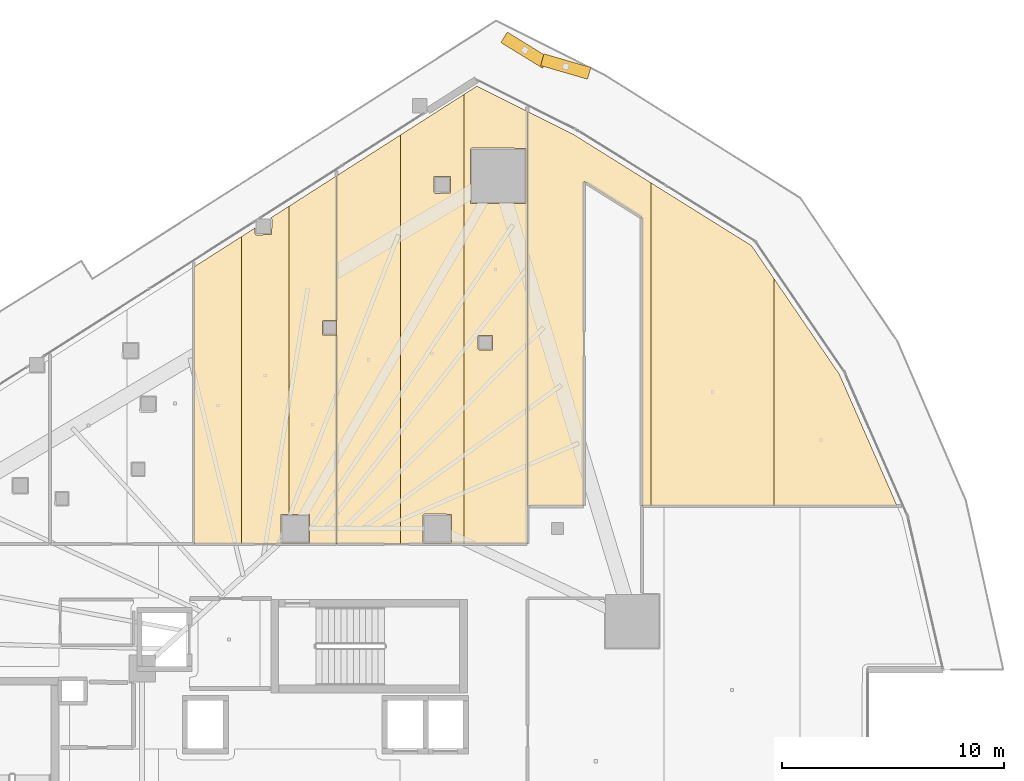
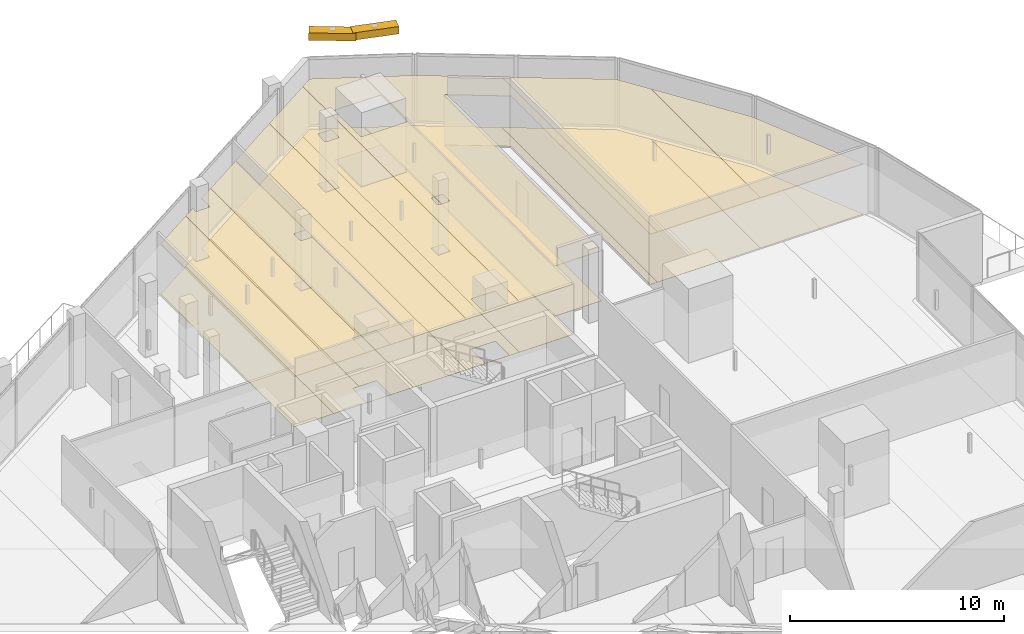
# One storey, part 45 of 45: 18 coverings, 2 shading devices.
"""IFC4 building model written with IfcOpenShell, lengths in metres."""

from ifc_helpers import new_model, si_unit, direction, frame, origin, origin_2d, place, context, subcontext, project, spatial, polyline, rectangle, outline, extrude, material, layer, layer_set, type_object, element, save


model = new_model("IFC4")

# Units and contexts
model_context = context("Model", 3, precision=1e-05, world=origin(), true_north=direction((0.0, 1.0)))
body_context = subcontext(model_context, "Body", "Model", "MODEL_VIEW")
ifc_project = project(units=[si_unit("LENGTHUNIT", "METRE"), si_unit("AREAUNIT", "SQUARE_METRE"), si_unit("VOLUMEUNIT", "CUBIC_METRE"), si_unit("PLANEANGLEUNIT", "RADIAN"), si_unit("MASSUNIT", "GRAM", prefix="KILO")], contexts=[model_context])

# Site, building, storey
site_placement = place(None, origin())
site = spatial("IfcSite", under=ifc_project, at=site_placement, CompositionType="ELEMENT")
building_placement = place(site_placement, origin())
building = spatial("IfcBuilding", under=site, at=building_placement, Name="Qorvath Tower", CompositionType="ELEMENT")
storey_placement = place(building_placement, frame((0.0, 0.0, 91.199951171875)))
storey = spatial("IfcBuildingStorey", under=building, at=storey_placement, Name="L20", CompositionType="ELEMENT", Elevation=91.199951171875)

# Coverings
ifc_material_1 = material(Name="Acoustic mineral fibre ceiling tile", Category="gypsum")
ifc_layer_1 = layer(ifc_material_1, 0.030029296875)
ifc_layer_set_1 = layer_set([ifc_layer_1], Name="COV-CEIL")
covering_type_1 = type_object("IfcCoveringType", Name="COV-CEIL", PredefinedType="CEILING", material=ifc_layer_set_1)
covering_1_placement = place(storey_placement, frame((0.0, 0.0, 2.85009765625)))
element("IfcCovering", 1, at=covering_1_placement, inside=storey, type_object=covering_type_1, Name="L20 Suspended Acoustic Ceiling 012", PredefinedType="CEILING", context=body_context, shape_type="SweptSolid", body=[
    extrude(outline(polyline([(-26.023193359375, 10.762939453125), (-26.023193359375, 24.599365234375), (-28.157470703125, 23.2353515625), (-28.157470703125, 10.762939453125), (-26.023193359375, 10.762939453125)])), origin(), (0.0, 0.0, 1.0), 0.030029296875),
])
covering_2_placement = place(storey_placement, frame((0.0, 0.0, 2.85009765625)))
element("IfcCovering", 2, at=covering_2_placement, inside=storey, type_object=covering_type_1, Name="L20 Suspended Acoustic Ceiling 013", PredefinedType="CEILING", context=body_context, shape_type="SweptSolid", body=[
    extrude(outline(polyline([(-23.888916015625, 10.762939453125), (-23.888916015625, 10.79443359375), (-24.199951171875, 10.7900390625), (-24.260009765625, 10.85009765625), (-24.242431640625, 12.092529296875), (-23.888916015625, 12.092529296875), (-23.888916015625, 25.96337890625), (-24.706298828125, 25.441162109375), (-24.652587890625, 25.3837890625), (-24.670166015625, 24.69140625), (-25.362548828125, 24.673828125), (-25.422607421875, 24.73388671875), (-25.422607421875, 24.983154296875), (-26.023193359375, 24.599365234375), (-26.023193359375, 10.762939453125), (-23.888916015625, 10.762939453125)])), origin(), (0.0, 0.0, 1.0), 0.030029296875),
])
covering_3_placement = place(storey_placement, frame((0.0, 0.0, 2.85009765625)))
element("IfcCovering", 3, at=covering_3_placement, inside=storey, type_object=covering_type_1, Name="L20 Suspended Acoustic Ceiling 014", PredefinedType="CEILING", context=body_context, shape_type="SweptSolid", body=[
    extrude(outline(polyline([(-21.754638671875, 20.820068359375), (-21.754638671875, 27.32763671875), (-23.888916015625, 25.96337890625), (-23.888916015625, 12.092529296875), (-22.95751953125, 12.092529296875), (-22.95751953125, 10.8076171875), (-23.888916015625, 10.79443359375), (-23.888916015625, 10.762939453125), (-21.754638671875, 10.762939453125), (-21.754638671875, 20.169677734375), (-22.37060546875, 20.177490234375), (-22.38818359375, 20.77001953125), (-22.328125, 20.829833984375), (-21.754638671875, 20.820068359375)])), origin(), (0.0, 0.0, 1.0), 0.030029296875),
])
covering_4_placement = place(storey_placement, frame((0.0, 0.0, 2.85009765625)))
element("IfcCovering", 4, at=covering_4_placement, inside=storey, type_object=covering_type_1, Name="L20 Suspended Acoustic Ceiling 015", PredefinedType="CEILING", context=body_context, shape_type="SweptSolid", body=[
    extrude(outline(polyline([(-21.736572265625, 10.762939453125), (-18.8759765625, 10.762939453125), (-18.8759765625, 29.167236328125), (-21.736572265625, 27.339111328125), (-21.736572265625, 10.762939453125)])), origin(), (0.0, 0.0, 1.0), 0.030029296875),
])
covering_5_placement = place(storey_placement, frame((0.0, 0.0, 2.85009765625)))
element("IfcCovering", 5, at=covering_5_placement, inside=storey, type_object=covering_type_1, Name="L20 Suspended Acoustic Ceiling 016", PredefinedType="CEILING", context=body_context, shape_type="SweptSolid", body=[
    extrude(outline(polyline([(-18.8759765625, 29.167236328125), (-18.8759765625, 10.762939453125), (-16.015625, 10.762939453125), (-16.015625, 30.99560546875), (-18.8759765625, 29.167236328125)]), holes=[polyline([(-17.860107421875, 12.050048828125), (-17.800048828125, 12.110107421875), (-16.5576171875, 12.092529296875), (-16.5576171875, 10.8076171875), (-17.842529296875, 10.8076171875), (-17.860107421875, 12.050048828125)]), polyline([(-17.3662109375, 26.604248046875), (-17.3486328125, 27.296630859375), (-16.61376953125, 27.296630859375), (-16.61376953125, 26.561767578125), (-17.30615234375, 26.544189453125), (-17.3662109375, 26.604248046875)])]), origin(), (0.0, 0.0, 1.0), 0.030029296875),
])
covering_6_placement = place(storey_placement, frame((0.0, 0.0, 2.85009765625)))
element("IfcCovering", 6, at=covering_6_placement, inside=storey, type_object=covering_type_1, Name="L20 Suspended Acoustic Ceiling 017", PredefinedType="CEILING", context=body_context, shape_type="SweptSolid", body=[
    extrude(outline(polyline([(-16.015625, 30.99560546875), (-16.015625, 10.762939453125), (-13.155029296875, 10.762939453125), (-13.155029296875, 30.231689453125), (-15.430419921875, 31.369384765625), (-16.015625, 30.99560546875)]), holes=[polyline([(-15.724365234375, 28.53076171875), (-15.664306640625, 28.5908203125), (-13.221923828125, 28.5732421875), (-13.221923828125, 26.08837890625), (-15.706787109375, 26.08837890625), (-15.724365234375, 28.53076171875)]), polyline([(-15.381103515625, 19.543212890625), (-15.363525390625, 20.135498046875), (-14.728759765625, 20.135498046875), (-14.728759765625, 19.500732421875), (-15.321044921875, 19.483154296875), (-15.381103515625, 19.543212890625)])]), origin(), (0.0, 0.0, 1.0), 0.030029296875),
])
covering_7_placement = place(storey_placement, frame((0.0, 0.0, 2.85009765625)))
element("IfcCovering", 7, at=covering_7_placement, inside=storey, type_object=covering_type_1, Name="L20 Suspended Acoustic Ceiling 035", PredefinedType="CEILING", context=body_context, shape_type="SweptSolid", body=[
    extrude(outline(polyline([(-7.987060546875, 12.47705078125), (-7.593994140625, 12.47705078125), (-7.593994140625, 27.021728515625), (-11.047607421875, 29.177978515625), (-13.136962890625, 30.22265625), (-13.136962890625, 12.468994140625), (-10.613037109375, 12.468994140625), (-10.608642578125, 27.0966796875), (-7.987060546875, 25.458251953125), (-7.987060546875, 12.47705078125)])), origin(), (0.0, 0.0, 1.0), 0.030029296875),
])
covering_8_placement = place(storey_placement, frame((0.0, 0.0, 2.85009765625)))
element("IfcCovering", 8, at=covering_8_placement, inside=storey, type_object=covering_type_1, Name="L20 Suspended Acoustic Ceiling 036", PredefinedType="CEILING", context=body_context, shape_type="SweptSolid", body=[
    extrude(outline(polyline([(-7.593994140625, 27.021728515625), (-7.593994140625, 12.47705078125), (-2.05078125, 12.47705078125), (-2.05078125, 22.71142578125), (-3.0625, 24.192626953125), (-7.593994140625, 27.021728515625)])), origin(), (0.0, 0.0, 1.0), 0.030029296875),
])
covering_9_placement = place(storey_placement, frame((0.0, 0.0, 2.85009765625)))
element("IfcCovering", 9, at=covering_9_placement, inside=storey, type_object=covering_type_1, Name="L20 Suspended Acoustic Ceiling 037", PredefinedType="CEILING", context=body_context, shape_type="SweptSolid", body=[
    extrude(outline(polyline([(-2.05078125, 22.71142578125), (-2.05078125, 12.47705078125), (3.4921875, 12.47705078125), (0.898681640625, 18.393798828125), (-2.05078125, 22.71142578125)])), origin(), (0.0, 0.0, 1.0), 0.030029296875),
])
ifc_material_2 = material(Name="Low-VOC modular carpet tile", Category="textile")
ifc_layer_2 = layer(ifc_material_2, 0.014892578125)
ifc_layer_set_2 = layer_set([ifc_layer_2], Name="COV-FLOOR-CPT")
covering_type_2 = type_object("IfcCoveringType", Name="COV-FLOOR-CPT", PredefinedType="FLOORING", material=ifc_layer_set_2)
covering_10_placement = place(storey_placement, origin())
element("IfcCovering", 10, at=covering_10_placement, inside=storey, type_object=covering_type_2, Name="L20 Floor Finish 012", PredefinedType="FLOORING", context=body_context, shape_type="SweptSolid", body=[
    extrude(outline(polyline([(-26.023193359375, 10.762939453125), (-26.023193359375, 24.599365234375), (-28.157470703125, 23.2353515625), (-28.157470703125, 10.762939453125), (-26.023193359375, 10.762939453125)])), origin(), (0.0, 0.0, 1.0), 0.01513671875),
])
covering_11_placement = place(storey_placement, origin())
element("IfcCovering", 11, at=covering_11_placement, inside=storey, type_object=covering_type_2, Name="L20 Floor Finish 013", PredefinedType="FLOORING", context=body_context, shape_type="SweptSolid", body=[
    extrude(outline(polyline([(-23.888916015625, 10.762939453125), (-23.888916015625, 10.79443359375), (-24.199951171875, 10.7900390625), (-24.260009765625, 10.85009765625), (-24.242431640625, 12.092529296875), (-23.888916015625, 12.092529296875), (-23.888916015625, 25.96337890625), (-24.706298828125, 25.441162109375), (-24.652587890625, 25.3837890625), (-24.670166015625, 24.69140625), (-25.362548828125, 24.673828125), (-25.422607421875, 24.73388671875), (-25.422607421875, 24.983154296875), (-26.023193359375, 24.599365234375), (-26.023193359375, 10.762939453125), (-23.888916015625, 10.762939453125)])), origin(), (0.0, 0.0, 1.0), 0.01513671875),
])
covering_12_placement = place(storey_placement, origin())
element("IfcCovering", 12, at=covering_12_placement, inside=storey, type_object=covering_type_2, Name="L20 Floor Finish 014", PredefinedType="FLOORING", context=body_context, shape_type="SweptSolid", body=[
    extrude(outline(polyline([(-21.754638671875, 20.820068359375), (-21.754638671875, 27.32763671875), (-23.888916015625, 25.96337890625), (-23.888916015625, 12.092529296875), (-22.95751953125, 12.092529296875), (-22.95751953125, 10.8076171875), (-23.888916015625, 10.79443359375), (-23.888916015625, 10.762939453125), (-21.754638671875, 10.762939453125), (-21.754638671875, 20.169677734375), (-22.37060546875, 20.177490234375), (-22.38818359375, 20.77001953125), (-22.328125, 20.829833984375), (-21.754638671875, 20.820068359375)])), origin(), (0.0, 0.0, 1.0), 0.01513671875),
])
covering_13_placement = place(storey_placement, origin())
element("IfcCovering", 13, at=covering_13_placement, inside=storey, type_object=covering_type_2, Name="L20 Floor Finish 015", PredefinedType="FLOORING", context=body_context, shape_type="SweptSolid", body=[
    extrude(outline(polyline([(-21.736572265625, 10.762939453125), (-18.8759765625, 10.762939453125), (-18.8759765625, 29.167236328125), (-21.736572265625, 27.339111328125), (-21.736572265625, 10.762939453125)])), origin(), (0.0, 0.0, 1.0), 0.01513671875),
])
covering_14_placement = place(storey_placement, origin())
element("IfcCovering", 14, at=covering_14_placement, inside=storey, type_object=covering_type_2, Name="L20 Floor Finish 016", PredefinedType="FLOORING", context=body_context, shape_type="SweptSolid", body=[
    extrude(outline(polyline([(-18.8759765625, 29.167236328125), (-18.8759765625, 10.762939453125), (-16.015625, 10.762939453125), (-16.015625, 30.99560546875), (-18.8759765625, 29.167236328125)]), holes=[polyline([(-17.860107421875, 12.050048828125), (-17.800048828125, 12.110107421875), (-16.5576171875, 12.092529296875), (-16.5576171875, 10.8076171875), (-17.842529296875, 10.8076171875), (-17.860107421875, 12.050048828125)]), polyline([(-17.3662109375, 26.604248046875), (-17.3486328125, 27.296630859375), (-16.61376953125, 27.296630859375), (-16.61376953125, 26.561767578125), (-17.30615234375, 26.544189453125), (-17.3662109375, 26.604248046875)])]), origin(), (0.0, 0.0, 1.0), 0.01513671875),
])
covering_15_placement = place(storey_placement, origin())
element("IfcCovering", 15, at=covering_15_placement, inside=storey, type_object=covering_type_2, Name="L20 Floor Finish 017", PredefinedType="FLOORING", context=body_context, shape_type="SweptSolid", body=[
    extrude(outline(polyline([(-16.015625, 30.99560546875), (-16.015625, 10.762939453125), (-13.155029296875, 10.762939453125), (-13.155029296875, 30.231689453125), (-15.430419921875, 31.369384765625), (-16.015625, 30.99560546875)]), holes=[polyline([(-15.724365234375, 28.53076171875), (-15.664306640625, 28.5908203125), (-13.221923828125, 28.5732421875), (-13.221923828125, 26.08837890625), (-15.706787109375, 26.08837890625), (-15.724365234375, 28.53076171875)]), polyline([(-15.381103515625, 19.543212890625), (-15.363525390625, 20.135498046875), (-14.728759765625, 20.135498046875), (-14.728759765625, 19.500732421875), (-15.321044921875, 19.483154296875), (-15.381103515625, 19.543212890625)])]), origin(), (0.0, 0.0, 1.0), 0.01513671875),
])
covering_16_placement = place(storey_placement, origin())
element("IfcCovering", 16, at=covering_16_placement, inside=storey, type_object=covering_type_2, Name="L20 Floor Finish 035", PredefinedType="FLOORING", context=body_context, shape_type="SweptSolid", body=[
    extrude(outline(polyline([(-7.987060546875, 12.47705078125), (-7.593994140625, 12.47705078125), (-7.593994140625, 27.021728515625), (-11.047607421875, 29.177978515625), (-13.136962890625, 30.22265625), (-13.136962890625, 12.468994140625), (-10.613037109375, 12.468994140625), (-10.608642578125, 27.0966796875), (-7.987060546875, 25.458251953125), (-7.987060546875, 12.47705078125)])), origin(), (0.0, 0.0, 1.0), 0.01513671875),
])
covering_17_placement = place(storey_placement, origin())
element("IfcCovering", 17, at=covering_17_placement, inside=storey, type_object=covering_type_2, Name="L20 Floor Finish 036", PredefinedType="FLOORING", context=body_context, shape_type="SweptSolid", body=[
    extrude(outline(polyline([(-7.593994140625, 27.021728515625), (-7.593994140625, 12.47705078125), (-2.05078125, 12.47705078125), (-2.05078125, 22.71142578125), (-3.0625, 24.192626953125), (-7.593994140625, 27.021728515625)])), origin(), (0.0, 0.0, 1.0), 0.01513671875),
])
covering_18_placement = place(storey_placement, origin())
element("IfcCovering", 18, at=covering_18_placement, inside=storey, type_object=covering_type_2, Name="L20 Floor Finish 037", PredefinedType="FLOORING", context=body_context, shape_type="SweptSolid", body=[
    extrude(outline(polyline([(-2.05078125, 22.71142578125), (-2.05078125, 12.47705078125), (3.4921875, 12.47705078125), (0.898681640625, 18.393798828125), (-2.05078125, 22.71142578125)])), origin(), (0.0, 0.0, 1.0), 0.01513671875),
])

# Shading devices
ifc_material_3 = material(Name="Anodised bronze-champagne aluminium", Category="aluminium")
shading_device_type = type_object("IfcShadingDeviceType", Name="SD-LOUVRE", PredefinedType="JALOUSIE", material=ifc_material_3)
for number, where, z_axis, x_axis, name in (
    (19, (-11.4248046875, 32.25634765625, 3.500244140625), (0.0, 0.0, 1.0), (-0.960192828221, 0.279338025757, 0.0), "Sinusoidal Wave Louvre Blade L20-05"),
    (20, (-13.262451171875, 32.994873046875, 3.500244140625), (0.0, 0.0, 1.0), (-0.851194239569, 0.524850804063, 0.0), "Sinusoidal Wave Louvre Blade L20-06"),
):
    element("IfcShadingDevice", number, at=place(storey_placement, frame(where, z_axis=z_axis, x_axis=x_axis)), inside=storey, type_object=shading_device_type, Name=name, PredefinedType="NOTDEFINED", context=body_context, shape_type="SweptSolid", body=[
        extrude(rectangle(XDim=2.199951171875, YDim=0.550048828125, at=origin_2d()), origin(), (0.0, 0.0, 1.0), 0.419921875),
    ])

save(model, "model.ifc")
